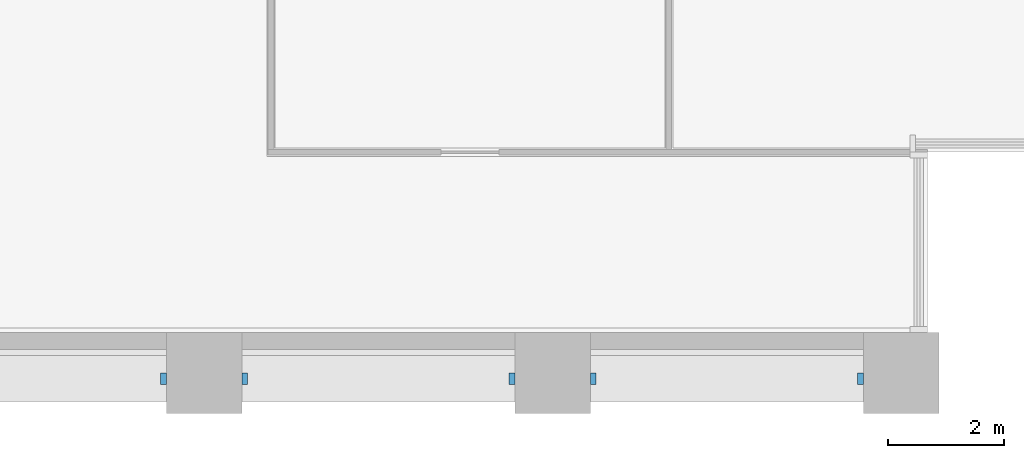
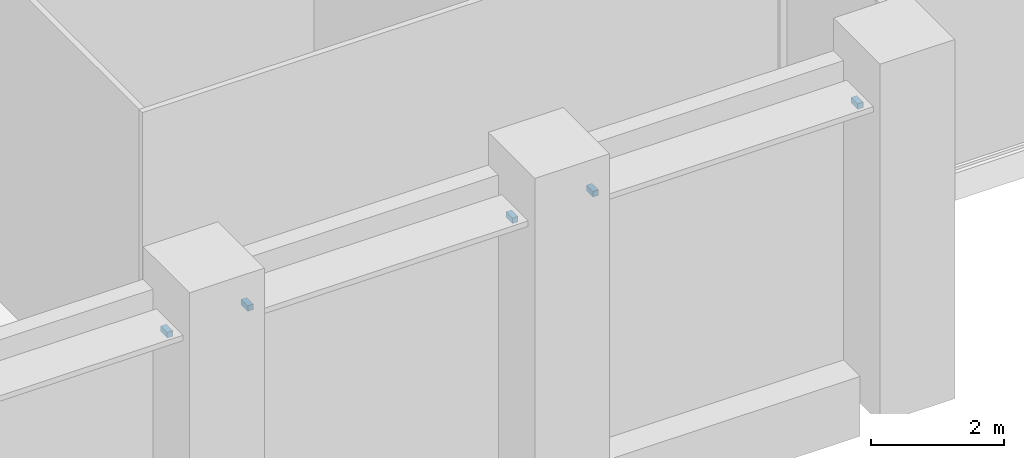
# One storey, part 15 of 18: 5 discrete accessories.
"""IFC4 building model written with IfcOpenShell, lengths in metres."""

from ifc_helpers import new_model, si_unit, direction, frame, origin, origin_2d, place, context, subcontext, project, spatial, rectangle, extrude, element, save


model = new_model("IFC4")

# Units and contexts
model_context = context("Model", 3, precision=1e-05, world=origin(), true_north=direction((0.0, 1.0)))
body_context = subcontext(model_context, "Body", "Model", "MODEL_VIEW")
ifc_project = project(units=[si_unit("LENGTHUNIT", "METRE"), si_unit("AREAUNIT", "SQUARE_METRE"), si_unit("VOLUMEUNIT", "CUBIC_METRE"), si_unit("PLANEANGLEUNIT", "RADIAN"), si_unit("MASSUNIT", "GRAM", prefix="KILO")], contexts=[model_context])

# Site, building, storey
site_placement = place(None, origin())
site = spatial("IfcSite", under=ifc_project, at=site_placement, CompositionType="ELEMENT")
building_placement = place(site_placement, origin())
building = spatial("IfcBuilding", under=site, at=building_placement, Name="Calvaro Tower", CompositionType="ELEMENT")
storey_placement = place(building_placement, frame((0.0, 0.0, 11.300048828125)))
storey = spatial("IfcBuildingStorey", under=building, at=storey_placement, Name="L02", CompositionType="ELEMENT", Elevation=11.300048828125)

# Discrete accessories
for number, where, z_axis, x_axis, name in (
    (1, (59.300048828125, 0.60009765625, 5.0), (0.0, 0.0, 1.0), (1.0, 0.0, 0.0), "Brise-soleil bracket"),
    (2, (60.699951171875, 0.60009765625, 5.0), (0.0, 0.0, 1.0), (1.0, 0.0, 0.0), "Brise-soleil bracket"),
    (3, (65.300048828125, 0.60009765625, 5.0), (0.0, 0.0, 1.0), (1.0, 0.0, 0.0), "Brise-soleil bracket"),
    (4, (66.699951171875, 0.60009765625, 5.0), (0.0, 0.0, 1.0), (1.0, 0.0, 0.0), "Brise-soleil bracket"),
    (5, (71.300048828125, 0.60009765625, 5.0), (0.0, 0.0, 1.0), (1.0, 0.0, 0.0), "Brise-soleil bracket"),
):
    element("IfcDiscreteAccessory", number, at=place(storey_placement, frame(where, z_axis=z_axis, x_axis=x_axis)), inside=storey, Name=name, PredefinedType="BRACKET", context=body_context, shape_type="SweptSolid", body=[
        extrude(rectangle(XDim=0.10009765625, YDim=0.199951171875, at=origin_2d()), origin(), (0.0, 0.0, 1.0), 0.10009765625),
    ])

save(model, "model.ifc")
